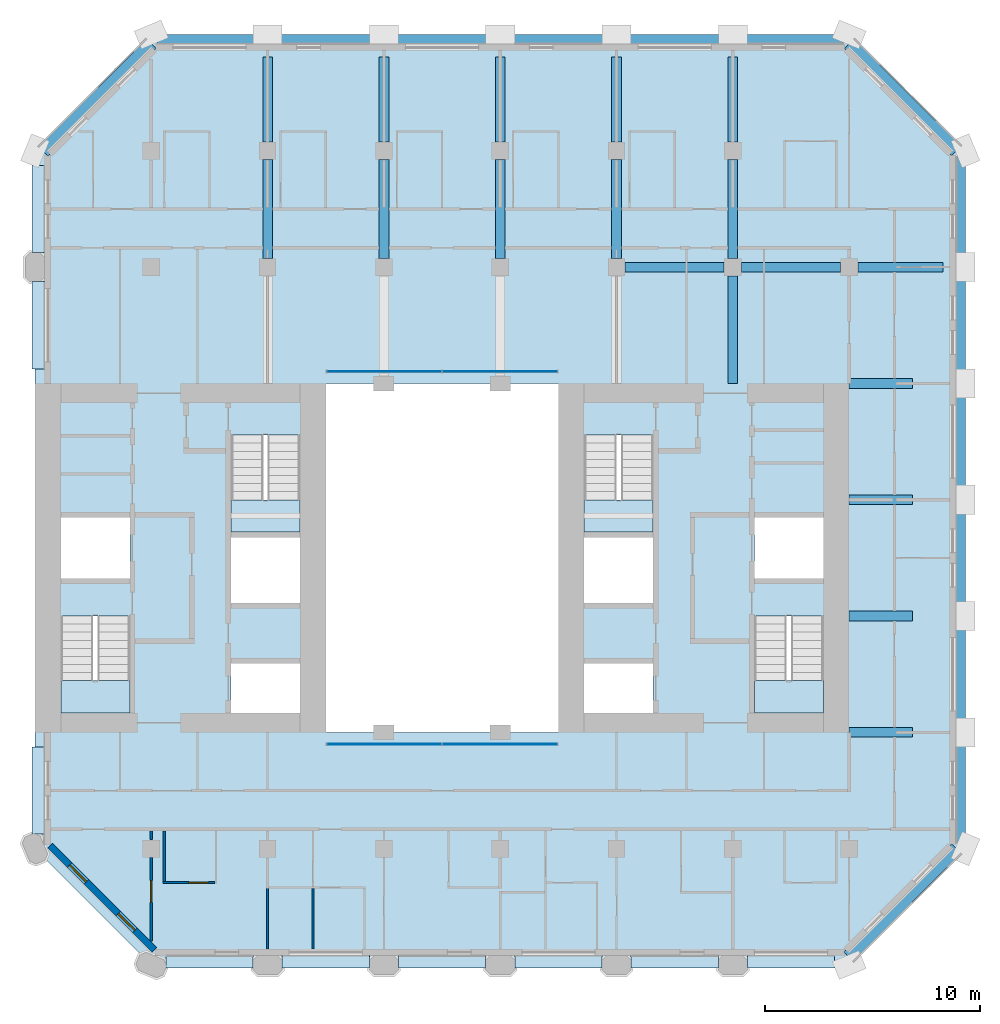
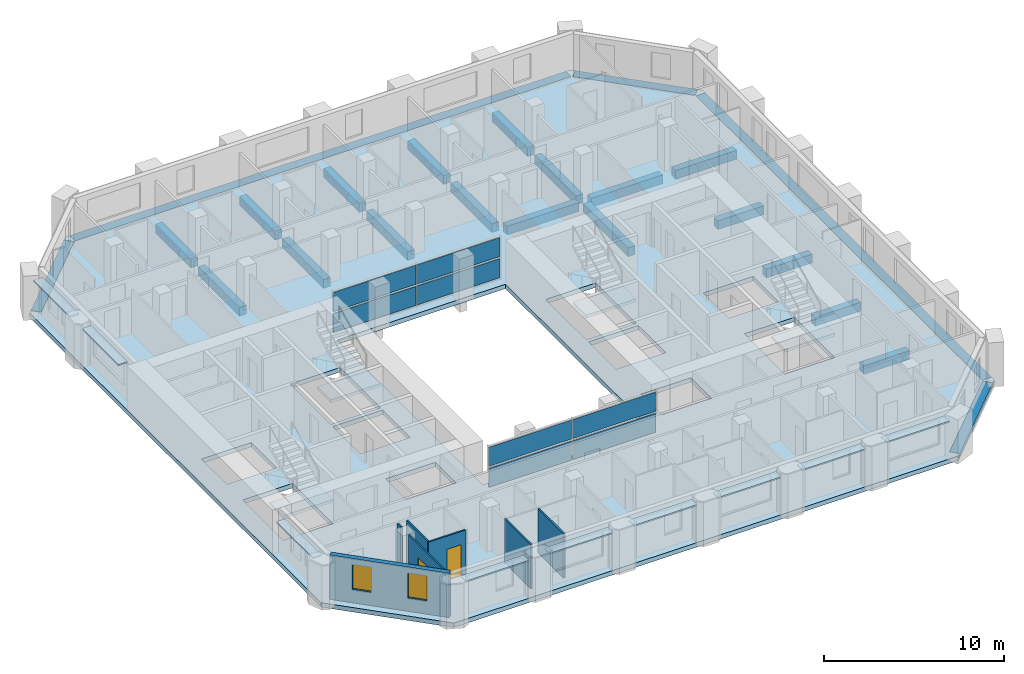
# One storey, part 3 of 12: 23 beams, 17 plates, 7 walls, 5 slabs, 2 doors, 2 windows, 4 openings, 6 elements without a shape of their own.
"""IFC4 building model written with IfcOpenShell, lengths in metres."""

from ifc_helpers import new_model, si_unit, direction, frame, frame_2d, origin, origin_2d, place, context, subcontext, project, spatial, polyline, rectangle, outline, extrude, material, layer, layer_set, material_profile, profile_set, type_object, element, fill, aggregate, save


model = new_model("IFC4")

# Units and contexts
model_context = context("Model", 3, precision=1e-05, world=origin(), true_north=direction((0.0, 1.0)))
body_context = subcontext(model_context, "Body", "Model", "MODEL_VIEW")
ifc_project = project(units=[si_unit("LENGTHUNIT", "METRE"), si_unit("AREAUNIT", "SQUARE_METRE"), si_unit("VOLUMEUNIT", "CUBIC_METRE"), si_unit("PLANEANGLEUNIT", "RADIAN"), si_unit("MASSUNIT", "GRAM", prefix="KILO")], contexts=[model_context])

# Site, building, storey
site_placement = place(None, origin())
site = spatial("IfcSite", under=ifc_project, at=site_placement, CompositionType="ELEMENT")
building_placement = place(site_placement, origin())
building = spatial("IfcBuilding", under=site, at=building_placement, Name="Tabaq Tower and Sports Hall", CompositionType="ELEMENT")
storey_placement = place(building_placement, frame((0.0, 0.0, 184.0)))
storey = spatial("IfcBuildingStorey", under=building, at=storey_placement, Name="L44", CompositionType="ELEMENT", Elevation=184.0)

# Beams
ifc_material_1 = material(Name="Concrete C40/50", Category="concrete")
ifc_material_profile_1 = material_profile(ifc_material_1, rectangle(XDim=0.449951171875, YDim=0.60009765625, at=origin_2d()), Name="CB 450x600")
ifc_profile_set_1 = profile_set([ifc_material_profile_1], Name="Concrete C40/50")
beam_type_1 = type_object("IfcBeamType", Name="PT CANTILEVER BEAM CB 450x600 C40/50", PredefinedType="BEAM", material=ifc_profile_set_1)
for number, where, z_axis, x_axis, name in (
    (1, (46.14990234375, 16.199951171875, -0.60009765625), (-1.0, 0.0, 0.0), (0.0, -1.0, 0.0), "Cantilever Beam L44 E3 span 1"),
    (2, (46.14990234375, 21.60009765625, -0.60009765625), (-1.0, 0.0, 0.0), (0.0, -1.0, 0.0), "Cantilever Beam L44 E4 span 1"),
    (3, (46.14990234375, 27.0, -0.60009765625), (-1.0, 0.0, 0.0), (0.0, -1.0, 0.0), "Cantilever Beam L44 E5 span 1"),
    (4, (46.14990234375, 32.39990234375, -0.60009765625), (-1.0, 0.0, 0.0), (0.0, -1.0, 0.0), "Cantilever Beam L44 E6 span 1"),
):
    element("IfcBeam", number, at=place(storey_placement, frame(where, z_axis=z_axis, x_axis=x_axis)), inside=storey, type_object=beam_type_1, Name=name, PredefinedType="BEAM", context=body_context, shape_type="SweptSolid", body=[
        extrude(rectangle(XDim=0.449951171875, YDim=0.60009765625, at=origin_2d()), origin(), (0.0, 0.0, 1.0), 2.949951171875),
    ])
beam_1_placement = place(storey_placement, frame((47.550048828125, 37.800048828125, -0.60009765625), z_axis=(-1.0, 0.0, 0.0), x_axis=(0.0, -1.0, 0.0)))
element("IfcBeam", 5, at=beam_1_placement, inside=storey, type_object=beam_type_1, Name="Cantilever Beam L44 E7 span 1", PredefinedType="BEAM", context=body_context, shape_type="SweptSolid", body=[
    extrude(rectangle(XDim=0.449951171875, YDim=0.60009765625, at=origin_2d()), origin(), (0.0, 0.0, 1.0), 3.949951171875),
])
beam_2_placement = place(storey_placement, frame((42.800048828125, 37.800048828125, -0.60009765625), z_axis=(-1.0, 0.0, 0.0), x_axis=(0.0, -1.0, 0.0)))
element("IfcBeam", 6, at=beam_2_placement, inside=storey, type_object=beam_type_1, Name="Cantilever Beam L44 E7 span 2", PredefinedType="BEAM", context=body_context, shape_type="SweptSolid", body=[
    extrude(rectangle(XDim=0.449951171875, YDim=0.60009765625, at=origin_2d()), origin(), (0.0, 0.0, 1.0), 4.60009765625),
])
beam_3_placement = place(storey_placement, frame((37.39990234375, 37.800048828125, -0.60009765625), z_axis=(-1.0, 0.0, 0.0), x_axis=(0.0, -1.0, 0.0)))
element("IfcBeam", 7, at=beam_3_placement, inside=storey, type_object=beam_type_1, Name="Cantilever Beam L44 E7 span 3", PredefinedType="BEAM", context=body_context, shape_type="SweptSolid", body=[
    extrude(rectangle(XDim=0.449951171875, YDim=0.60009765625, at=origin_2d()), origin(), (0.0, 0.0, 1.0), 4.599853515625),
])
beam_4_placement = place(storey_placement, frame((16.199951171875, 47.550048828125, -0.60009765625), z_axis=(0.0, -1.0, 0.0), x_axis=(1.0, 0.0, 0.0)))
element("IfcBeam", 8, at=beam_4_placement, inside=storey, type_object=beam_type_1, Name="Cantilever Beam L44 N3 span 1", PredefinedType="BEAM", context=body_context, shape_type="SweptSolid", body=[
    extrude(rectangle(XDim=0.449951171875, YDim=0.60009765625, at=origin_2d()), origin(), (0.0, 0.0, 1.0), 3.949951171875),
])
beam_5_placement = place(storey_placement, frame((16.199951171875, 42.800048828125, -0.60009765625), z_axis=(0.0, -1.0, 0.0), x_axis=(1.0, 0.0, 0.0)))
element("IfcBeam", 9, at=beam_5_placement, inside=storey, type_object=beam_type_1, Name="Cantilever Beam L44 N3 span 2", PredefinedType="BEAM", context=body_context, shape_type="SweptSolid", body=[
    extrude(rectangle(XDim=0.449951171875, YDim=0.60009765625, at=origin_2d()), origin(), (0.0, 0.0, 1.0), 4.60009765625),
])
beam_6_placement = place(storey_placement, frame((21.60009765625, 47.550048828125, -0.60009765625), z_axis=(0.0, -1.0, 0.0), x_axis=(1.0, 0.0, 0.0)))
element("IfcBeam", 10, at=beam_6_placement, inside=storey, type_object=beam_type_1, Name="Cantilever Beam L44 N4 span 1", PredefinedType="BEAM", context=body_context, shape_type="SweptSolid", body=[
    extrude(rectangle(XDim=0.449951171875, YDim=0.60009765625, at=origin_2d()), origin(), (0.0, 0.0, 1.0), 3.949951171875),
])
beam_7_placement = place(storey_placement, frame((21.60009765625, 42.800048828125, -0.60009765625), z_axis=(0.0, -1.0, 0.0), x_axis=(1.0, 0.0, 0.0)))
element("IfcBeam", 11, at=beam_7_placement, inside=storey, type_object=beam_type_1, Name="Cantilever Beam L44 N4 span 2", PredefinedType="BEAM", context=body_context, shape_type="SweptSolid", body=[
    extrude(rectangle(XDim=0.449951171875, YDim=0.60009765625, at=origin_2d()), origin(), (0.0, 0.0, 1.0), 4.60009765625),
])
beam_8_placement = place(storey_placement, frame((27.0, 47.550048828125, -0.60009765625), z_axis=(0.0, -1.0, 0.0), x_axis=(1.0, 0.0, 0.0)))
element("IfcBeam", 12, at=beam_8_placement, inside=storey, type_object=beam_type_1, Name="Cantilever Beam L44 N5 span 1", PredefinedType="BEAM", context=body_context, shape_type="SweptSolid", body=[
    extrude(rectangle(XDim=0.449951171875, YDim=0.60009765625, at=origin_2d()), origin(), (0.0, 0.0, 1.0), 3.949951171875),
])
beam_9_placement = place(storey_placement, frame((27.0, 42.800048828125, -0.60009765625), z_axis=(0.0, -1.0, 0.0), x_axis=(1.0, 0.0, 0.0)))
element("IfcBeam", 13, at=beam_9_placement, inside=storey, type_object=beam_type_1, Name="Cantilever Beam L44 N5 span 2", PredefinedType="BEAM", context=body_context, shape_type="SweptSolid", body=[
    extrude(rectangle(XDim=0.449951171875, YDim=0.60009765625, at=origin_2d()), origin(), (0.0, 0.0, 1.0), 4.60009765625),
])
beam_10_placement = place(storey_placement, frame((32.39990234375, 47.550048828125, -0.60009765625), z_axis=(0.0, -1.0, 0.0), x_axis=(1.0, 0.0, 0.0)))
element("IfcBeam", 14, at=beam_10_placement, inside=storey, type_object=beam_type_1, Name="Cantilever Beam L44 N6 span 1", PredefinedType="BEAM", context=body_context, shape_type="SweptSolid", body=[
    extrude(rectangle(XDim=0.449951171875, YDim=0.60009765625, at=origin_2d()), origin(), (0.0, 0.0, 1.0), 3.949951171875),
])
beam_11_placement = place(storey_placement, frame((32.39990234375, 42.800048828125, -0.60009765625), z_axis=(0.0, -1.0, 0.0), x_axis=(1.0, 0.0, 0.0)))
element("IfcBeam", 15, at=beam_11_placement, inside=storey, type_object=beam_type_1, Name="Cantilever Beam L44 N6 span 2", PredefinedType="BEAM", context=body_context, shape_type="SweptSolid", body=[
    extrude(rectangle(XDim=0.449951171875, YDim=0.60009765625, at=origin_2d()), origin(), (0.0, 0.0, 1.0), 4.60009765625),
])
beam_12_placement = place(storey_placement, frame((37.800048828125, 47.550048828125, -0.60009765625), z_axis=(0.0, -1.0, 0.0), x_axis=(1.0, 0.0, 0.0)))
element("IfcBeam", 16, at=beam_12_placement, inside=storey, type_object=beam_type_1, Name="Cantilever Beam L44 N7 span 1", PredefinedType="BEAM", context=body_context, shape_type="SweptSolid", body=[
    extrude(rectangle(XDim=0.449951171875, YDim=0.60009765625, at=origin_2d()), origin(), (0.0, 0.0, 1.0), 3.949951171875),
])
beam_13_placement = place(storey_placement, frame((37.800048828125, 42.800048828125, -0.60009765625), z_axis=(0.0, -1.0, 0.0), x_axis=(1.0, 0.0, 0.0)))
element("IfcBeam", 17, at=beam_13_placement, inside=storey, type_object=beam_type_1, Name="Cantilever Beam L44 N7 span 2", PredefinedType="BEAM", context=body_context, shape_type="SweptSolid", body=[
    extrude(rectangle(XDim=0.449951171875, YDim=0.60009765625, at=origin_2d()), origin(), (0.0, 0.0, 1.0), 4.60009765625),
])
beam_14_placement = place(storey_placement, frame((37.800048828125, 37.39990234375, -0.60009765625), z_axis=(0.0, -1.0, 0.0), x_axis=(1.0, 0.0, 0.0)))
element("IfcBeam", 18, at=beam_14_placement, inside=storey, type_object=beam_type_1, Name="Cantilever Beam L44 N7 span 3", PredefinedType="BEAM", context=body_context, shape_type="SweptSolid", body=[
    extrude(rectangle(XDim=0.449951171875, YDim=0.60009765625, at=origin_2d()), origin(), (0.0, 0.0, 1.0), 5.0),
])
ifc_material_2 = material(Name="Concrete C40/50", Category="concrete")
ifc_material_profile_2 = material_profile(ifc_material_2, rectangle(XDim=0.60009765625, YDim=0.300048828125, at=origin_2d()), Name="EB 600x300")
ifc_profile_set_2 = profile_set([ifc_material_profile_2], Name="Concrete C40/50")
beam_type_2 = type_object("IfcBeamType", Name="PT EDGE BEAM EB 600x300 C40/50", PredefinedType="SPANDREL", material=ifc_profile_set_2)
beam_15_placement = place(storey_placement, frame((43.16455078125, 5.788818359375, -0.14990234375), z_axis=(0.707106781187, 0.707106781187, 0.0), x_axis=(-0.707106781187, 0.707106781187, 0.0)))
element("IfcBeam", 19, at=beam_15_placement, inside=storey, type_object=beam_type_2, Name="Edge Beam L44 1", PredefinedType="SPANDREL", context=body_context, shape_type="SweptSolid", body=[
    extrude(rectangle(XDim=0.60009765625, YDim=0.300048828125, at=origin_2d()), origin(), (0.0, 0.0, 1.0), 7.08837890625),
])
beam_16_placement = place(storey_placement, frame((48.300048828125, 11.0986328125, -0.14990234375), z_axis=(0.0, 1.0, 0.0), x_axis=(-1.0, 0.0, 0.0)))
element("IfcBeam", 20, at=beam_16_placement, inside=storey, type_object=beam_type_2, Name="Edge Beam L44 2", PredefinedType="SPANDREL", context=body_context, shape_type="SweptSolid", body=[
    extrude(rectangle(XDim=0.60009765625, YDim=0.300048828125, at=origin_2d()), origin(), (0.0, 0.0, 1.0), 31.802734375),
])
beam_17_placement = place(storey_placement, frame((48.1767578125, 43.198974609375, -0.14990234375), z_axis=(-0.707106781187, 0.707106781187, 0.0), x_axis=(-0.707106781187, -0.707106781187, 0.0)))
element("IfcBeam", 21, at=beam_17_placement, inside=storey, type_object=beam_type_2, Name="Edge Beam L44 3", PredefinedType="SPANDREL", context=body_context, shape_type="SweptSolid", body=[
    extrude(rectangle(XDim=0.60009765625, YDim=0.300048828125, at=origin_2d()), origin(), (0.0, 0.0, 1.0), 7.03955078125),
])
beam_18_placement = place(storey_placement, frame((42.9013671875, 48.300048828125, -0.14990234375), z_axis=(-1.0, 0.0, 0.0), x_axis=(0.0, -1.0, 0.0)))
element("IfcBeam", 22, at=beam_18_placement, inside=storey, type_object=beam_type_2, Name="Edge Beam L44 4", PredefinedType="SPANDREL", context=body_context, shape_type="SweptSolid", body=[
    extrude(rectangle(XDim=0.60009765625, YDim=0.300048828125, at=origin_2d()), origin(), (0.0, 0.0, 1.0), 31.802734375),
])
beam_19_placement = place(storey_placement, frame((10.801025390625, 48.1767578125, -0.14990234375), z_axis=(-0.707106781187, -0.707106781187, 0.0), x_axis=(0.707106781187, -0.707106781187, 0.0)))
element("IfcBeam", 23, at=beam_19_placement, inside=storey, type_object=beam_type_2, Name="Edge Beam L44 5", PredefinedType="SPANDREL", context=body_context, shape_type="SweptSolid", body=[
    extrude(rectangle(XDim=0.60009765625, YDim=0.300048828125, at=origin_2d()), origin(), (0.0, 0.0, 1.0), 7.08837890625),
])

# Curtain wall, plates
ifc_material_3 = material(Name="Aluminium alloy 6063-T6 framed glazing", Category="aluminium")
curtain_wall_type = type_object("IfcCurtainWallType", Name="CW1 curtain wall", PredefinedType="USERDEFINED", material=ifc_material_3)
curtain_wall_1_placement = place(storey_placement, origin())
curtain_wall_1 = element("IfcCurtainWall", 24, at=curtain_wall_1_placement, inside=storey, type_object=curtain_wall_type, Name="Atrium glazing L44 S", ObjectType="ATRIUM ENCLOSURE", PredefinedType="USERDEFINED")
ifc_material_4 = material(Name="Clear low-emissivity glass 28 mm", Category="glass")
ifc_layer_1 = layer(ifc_material_4, 0.028076171875)
ifc_layer_set_1 = layer_set([ifc_layer_1], Name="CW1 glass panel 28")
plate_type_1 = type_object("IfcPlateType", Name="CW1 glass panel 28", PredefinedType="CURTAIN_PANEL", material=ifc_layer_set_1)
plate_1_placement = place(storey_placement, frame((21.614990234375, 15.64990234375, 0.139892578125), z_axis=(0.0, 0.0, 1.0), x_axis=(1.0, 0.0, 0.0)))
plate_1 = element("IfcPlate", 25, at=plate_1_placement, type_object=plate_type_1, Name="CW1 panel 1.1", PredefinedType="CURTAIN_PANEL", context=body_context, shape_type="SweptSolid", body=[
    extrude(rectangle(XDim=5.31005859375, YDim=0.028076171875, at=origin_2d()), origin(), (0.0, 0.0, 1.0), 1.2900390625),
])
plate_2_placement = place(storey_placement, frame((21.614990234375, 15.64990234375, 1.570068359375), z_axis=(0.0, 0.0, 1.0), x_axis=(1.0, 0.0, 0.0)))
plate_2 = element("IfcPlate", 26, at=plate_2_placement, type_object=plate_type_1, Name="CW1 panel 1.2", PredefinedType="CURTAIN_PANEL", context=body_context, shape_type="SweptSolid", body=[
    extrude(rectangle(XDim=5.31005859375, YDim=0.028076171875, at=origin_2d()), origin(), (0.0, 0.0, 1.0), 1.2900390625),
])
plate_3_placement = place(storey_placement, frame((26.985107421875, 15.64990234375, 0.139892578125), z_axis=(0.0, 0.0, 1.0), x_axis=(1.0, 0.0, 0.0)))
plate_3 = element("IfcPlate", 27, at=plate_3_placement, type_object=plate_type_1, Name="CW1 panel 2.1", PredefinedType="CURTAIN_PANEL", context=body_context, shape_type="SweptSolid", body=[
    extrude(rectangle(XDim=5.31005859375, YDim=0.028076171875, at=origin_2d()), origin(), (0.0, 0.0, 1.0), 1.2900390625),
])
plate_4_placement = place(storey_placement, frame((26.985107421875, 15.64990234375, 1.570068359375), z_axis=(0.0, 0.0, 1.0), x_axis=(1.0, 0.0, 0.0)))
plate_4 = element("IfcPlate", 28, at=plate_4_placement, type_object=plate_type_1, Name="CW1 panel 2.2", PredefinedType="CURTAIN_PANEL", context=body_context, shape_type="SweptSolid", body=[
    extrude(rectangle(XDim=5.31005859375, YDim=0.028076171875, at=origin_2d()), origin(), (0.0, 0.0, 1.0), 1.2900390625),
])
aggregate(curtain_wall_1, [plate_1, plate_2, plate_3, plate_4])

curtain_wall_2_placement = place(storey_placement, origin())
curtain_wall_2 = element("IfcCurtainWall", 29, at=curtain_wall_2_placement, inside=storey, type_object=curtain_wall_type, Name="Atrium glazing L44 N", ObjectType="ATRIUM ENCLOSURE", PredefinedType="USERDEFINED")
plate_5_placement = place(storey_placement, frame((21.614990234375, 32.949951171875, 0.139892578125), z_axis=(0.0, 0.0, 1.0), x_axis=(1.0, 0.0, 0.0)))
plate_5 = element("IfcPlate", 30, at=plate_5_placement, type_object=plate_type_1, Name="CW1 panel 1.1", PredefinedType="CURTAIN_PANEL", context=body_context, shape_type="SweptSolid", body=[
    extrude(rectangle(XDim=5.31005859375, YDim=0.028076171875, at=origin_2d()), origin(), (0.0, 0.0, 1.0), 1.2900390625),
])
plate_6_placement = place(storey_placement, frame((21.614990234375, 32.949951171875, 1.570068359375), z_axis=(0.0, 0.0, 1.0), x_axis=(1.0, 0.0, 0.0)))
plate_6 = element("IfcPlate", 31, at=plate_6_placement, type_object=plate_type_1, Name="CW1 panel 1.2", PredefinedType="CURTAIN_PANEL", context=body_context, shape_type="SweptSolid", body=[
    extrude(rectangle(XDim=5.31005859375, YDim=0.028076171875, at=origin_2d()), origin(), (0.0, 0.0, 1.0), 1.2900390625),
])
plate_7_placement = place(storey_placement, frame((26.985107421875, 32.949951171875, 0.139892578125), z_axis=(0.0, 0.0, 1.0), x_axis=(1.0, 0.0, 0.0)))
plate_7 = element("IfcPlate", 32, at=plate_7_placement, type_object=plate_type_1, Name="CW1 panel 2.1", PredefinedType="CURTAIN_PANEL", context=body_context, shape_type="SweptSolid", body=[
    extrude(rectangle(XDim=5.31005859375, YDim=0.028076171875, at=origin_2d()), origin(), (0.0, 0.0, 1.0), 1.2900390625),
])
plate_8_placement = place(storey_placement, frame((26.985107421875, 32.949951171875, 1.570068359375), z_axis=(0.0, 0.0, 1.0), x_axis=(1.0, 0.0, 0.0)))
plate_8 = element("IfcPlate", 33, at=plate_8_placement, type_object=plate_type_1, Name="CW1 panel 2.2", PredefinedType="CURTAIN_PANEL", context=body_context, shape_type="SweptSolid", body=[
    extrude(rectangle(XDim=5.31005859375, YDim=0.028076171875, at=origin_2d()), origin(), (0.0, 0.0, 1.0), 1.2900390625),
])
aggregate(curtain_wall_2, [plate_5, plate_6, plate_7, plate_8])

# Stair, slab
ifc_material_5 = material(Name="Concrete C40/50", Category="concrete")
stair_type = type_object("IfcStairType", Name="Exit stair", PredefinedType="HALF_TURN_STAIR", material=ifc_material_5)
stair_1_placement = place(storey_placement, origin())
stair_1 = element("IfcStair", 34, at=stair_1_placement, inside=storey, type_object=stair_type, Name="L44 Exit stair ST1", PredefinedType="HALF_TURN_STAIR")
ifc_material_6 = material(Name="Concrete C40/50", Category="concrete")
ifc_layer_2 = layer(ifc_material_6, 0.199951171875)
ifc_layer_set_2 = layer_set([ifc_layer_2], Name="Exit stair landing")
slab_type_1 = type_object("IfcSlabType", Name="Exit stair landing", PredefinedType="LANDING", material=ifc_layer_set_2)
slab_1_placement = place(storey_placement, frame((0.0, 0.0, 1.449951171875)))
slab_1 = element("IfcSlab", 35, at=slab_1_placement, type_object=slab_type_1, Name="ST1 landing 1", PredefinedType="LANDING", context=body_context, shape_type="SweptSolid", body=[
    extrude(outline(polyline([(6.60009765625, 18.60009765625), (6.60009765625, 17.10009765625), (9.800048828125, 17.10009765625), (9.800048828125, 18.60009765625), (6.60009765625, 18.60009765625)])), origin(), (0.0, 0.0, 1.0), 0.199951171875),
])
aggregate(stair_1, [slab_1])

stair_2_placement = place(storey_placement, origin())
stair_2 = element("IfcStair", 36, at=stair_2_placement, inside=storey, type_object=stair_type, Name="L44 Exit stair ST2", PredefinedType="HALF_TURN_STAIR")
slab_2_placement = place(storey_placement, frame((0.0, 0.0, 1.449951171875)))
slab_2 = element("IfcSlab", 37, at=slab_2_placement, type_object=slab_type_1, Name="ST2 landing 1", PredefinedType="LANDING", context=body_context, shape_type="SweptSolid", body=[
    extrude(outline(polyline([(14.5, 27.0), (14.5, 25.5), (17.699951171875, 25.5), (17.699951171875, 27.0), (14.5, 27.0)])), origin(), (0.0, 0.0, 1.0), 0.199951171875),
])
aggregate(stair_2, [slab_2])

stair_3_placement = place(storey_placement, origin())
stair_3 = element("IfcStair", 38, at=stair_3_placement, inside=storey, type_object=stair_type, Name="L44 Exit stair ST3", PredefinedType="HALF_TURN_STAIR")
slab_3_placement = place(storey_placement, frame((0.0, 0.0, 1.449951171875)))
slab_3 = element("IfcSlab", 39, at=slab_3_placement, type_object=slab_type_1, Name="ST3 landing 1", PredefinedType="LANDING", context=body_context, shape_type="SweptSolid", body=[
    extrude(outline(polyline([(38.800048828125, 18.60009765625), (38.800048828125, 17.10009765625), (42.0, 17.10009765625), (42.0, 18.60009765625), (38.800048828125, 18.60009765625)])), origin(), (0.0, 0.0, 1.0), 0.199951171875),
])
aggregate(stair_3, [slab_3])

stair_4_placement = place(storey_placement, origin())
stair_4 = element("IfcStair", 40, at=stair_4_placement, inside=storey, type_object=stair_type, Name="L44 Exit stair ST4", PredefinedType="HALF_TURN_STAIR")
slab_4_placement = place(storey_placement, frame((0.0, 0.0, 1.449951171875)))
slab_4 = element("IfcSlab", 41, at=slab_4_placement, type_object=slab_type_1, Name="ST4 landing 1", PredefinedType="LANDING", context=body_context, shape_type="SweptSolid", body=[
    extrude(outline(polyline([(30.89990234375, 27.0), (30.89990234375, 25.5), (34.10009765625, 25.5), (34.10009765625, 27.0), (30.89990234375, 27.0)])), origin(), (0.0, 0.0, 1.0), 0.199951171875),
])
aggregate(stair_4, [slab_4])

# Slab
ifc_material_7 = material(Name="Concrete C40/50", Category="concrete")
ifc_layer_3 = layer(ifc_material_7, 0.300048828125)
ifc_layer_set_3 = layer_set([ifc_layer_3], Name="PT FLOOR SLAB 300 C40/50")
slab_type_2 = type_object("IfcSlabType", Name="PT FLOOR SLAB 300 C40/50", PredefinedType="FLOOR", material=ifc_layer_set_3)
slab_5_placement = place(storey_placement, frame((0.0, 0.0, -0.300048828125)))
element("IfcSlab", 42, at=slab_5_placement, inside=storey, type_object=slab_type_2, Name="Floor Slab L44", PredefinedType="FLOOR", context=body_context, shape_type="SweptSolid", body=[
    extrude(outline(polyline([(5.39990234375, 43.199951171875), (5.39990234375, 10.800048828125), (10.800048828125, 5.39990234375), (43.199951171875, 5.39990234375), (43.376708984375, 5.57666015625), (42.952392578125, 6.0009765625), (47.964599609375, 11.01318359375), (48.035400390625, 10.9423828125), (48.388916015625, 10.5888671875), (48.60009765625, 10.800048828125), (48.60009765625, 11.0986328125), (48.10009765625, 11.0986328125), (48.0, 11.0986328125), (48.0, 42.9013671875), (48.10009765625, 42.9013671875), (48.60009765625, 42.9013671875), (48.60009765625, 43.199951171875), (48.388916015625, 43.4111328125), (48.035400390625, 43.0576171875), (47.964599609375, 42.98681640625), (42.98681640625, 47.964599609375), (43.0576171875, 48.035400390625), (43.4111328125, 48.388916015625), (43.199951171875, 48.60009765625), (42.9013671875, 48.60009765625), (42.9013671875, 48.10009765625), (42.9013671875, 48.0), (11.0986328125, 48.0), (11.0986328125, 48.10009765625), (11.0986328125, 48.60009765625), (10.800048828125, 48.60009765625), (10.5888671875, 48.388916015625), (10.9423828125, 48.035400390625), (11.01318359375, 47.964599609375), (6.0009765625, 42.952392578125), (5.57666015625, 43.376708984375), (5.39990234375, 43.199951171875)]), holes=[polyline([(14.5, 19.39990234375), (17.699951171875, 19.39990234375), (17.699951171875, 17.10009765625), (14.5, 17.10009765625), (14.5, 19.39990234375)]), polyline([(6.60009765625, 21.599365234375), (9.800048828125, 21.599365234375), (9.800048828125, 17.10009765625), (6.60009765625, 17.10009765625), (6.60009765625, 21.599365234375)]), polyline([(14.5, 25.25), (17.699951171875, 25.25), (17.699951171875, 22.199951171875), (14.5, 22.199951171875), (14.5, 25.25)]), polyline([(18.89990234375, 32.39990234375), (29.699951171875, 32.39990234375), (29.699951171875, 16.199951171875), (18.89990234375, 16.199951171875), (18.89990234375, 32.39990234375)]), polyline([(9.800048828125, 26.175048828125), (9.800048828125, 23.35009765625), (6.60009765625, 23.35009765625), (6.60009765625, 26.175048828125), (9.800048828125, 26.175048828125)]), polyline([(14.5, 29.99951171875), (17.699951171875, 29.99951171875), (17.699951171875, 25.5), (14.5, 25.5), (14.5, 29.99951171875)]), polyline([(34.10009765625, 19.39990234375), (34.10009765625, 17.10009765625), (30.89990234375, 17.10009765625), (30.89990234375, 19.39990234375), (34.10009765625, 19.39990234375)]), polyline([(42.0, 21.599365234375), (42.0, 17.10009765625), (38.800048828125, 17.10009765625), (38.800048828125, 21.599365234375), (42.0, 21.599365234375)]), polyline([(30.89990234375, 25.25), (34.10009765625, 25.25), (34.10009765625, 22.199951171875), (30.89990234375, 22.199951171875), (30.89990234375, 25.25)]), polyline([(42.0, 26.175048828125), (42.0, 23.35009765625), (38.800048828125, 23.35009765625), (38.800048828125, 26.175048828125), (42.0, 26.175048828125)]), polyline([(34.10009765625, 29.99951171875), (34.10009765625, 25.5), (30.89990234375, 25.5), (30.89990234375, 29.99951171875), (34.10009765625, 29.99951171875)])]), origin(), (0.0, 0.0, 1.0), 0.300048828125),
])

# Plates
ifc_material_8 = material(Name="White precast concrete C60/75 blade", Category="concrete")
ifc_layer_4 = layer(ifc_material_8, 0.10009765625)
ifc_layer_set_4 = layer_set([ifc_layer_4], Name="White precast concrete C60/75 sunshade 100")
plate_type_2 = type_object("IfcPlateType", Name="White precast concrete C60/75 sunshade 100", PredefinedType="USERDEFINED", material=ifc_layer_set_4)
for number, where, z_axis, x_axis, name in (
    (43, (13.5, 5.550048828125, 2.599853515625), (0.0, 0.0, 1.0), (1.0, 0.0, 0.0), "Sunshade L44 S"),
    (44, (18.89990234375, 5.550048828125, 2.599853515625), (0.0, 0.0, 1.0), (1.0, 0.0, 0.0), "Sunshade L44 S"),
    (45, (24.300048828125, 5.550048828125, 2.599853515625), (0.0, 0.0, 1.0), (1.0, 0.0, 0.0), "Sunshade L44 S"),
    (46, (29.699951171875, 5.550048828125, 2.599853515625), (0.0, 0.0, 1.0), (1.0, 0.0, 0.0), "Sunshade L44 S"),
    (47, (35.10009765625, 5.550048828125, 2.599853515625), (0.0, 0.0, 1.0), (1.0, 0.0, 0.0), "Sunshade L44 S"),
    (48, (40.5, 5.550048828125, 2.599853515625), (0.0, 0.0, 1.0), (1.0, 0.0, 0.0), "Sunshade L44 S"),
    (49, (5.550048828125, 40.5, 2.599853515625), (0.0, 0.0, 1.0), (0.0, -1.0, 0.0), "Sunshade L44 W"),
    (50, (5.550048828125, 35.10009765625, 2.599853515625), (0.0, 0.0, 1.0), (0.0, -1.0, 0.0), "Sunshade L44 W"),
    (51, (5.550048828125, 13.5, 2.599853515625), (0.0, 0.0, 1.0), (0.0, -1.0, 0.0), "Sunshade L44 W"),
):
    element("IfcPlate", number, at=place(storey_placement, frame(where, z_axis=z_axis, x_axis=x_axis)), inside=storey, type_object=plate_type_2, Name=name, ObjectType="SUNSHADE", PredefinedType="USERDEFINED", context=body_context, shape_type="SweptSolid", body=[
        extrude(rectangle(XDim=4.050048828125, YDim=0.60009765625, at=origin_2d()), origin(), (0.0, 0.0, 1.0), 0.10009765625),
    ])

# Wall
ifc_material_9 = material(Name="Gypsum board on steel studs", Category="steel")
ifc_layer_5 = layer(ifc_material_9, 0.10009765625)
ifc_layer_set_5 = layer_set([ifc_layer_5], Name="Partition 100 Gypsum board")
wall_type_1 = type_object("IfcWallType", Name="Partition 100 Gypsum board", PredefinedType="PARTITIONING", material=ifc_layer_set_5)
wall_1_placement = place(storey_placement, frame((16.199951171875, 6.15087890625, 0.0), z_axis=(0.0, 0.0, 1.0), x_axis=(0.0, 1.0, 0.0)))
element("IfcWall", 52, at=wall_1_placement, inside=storey, type_object=wall_type_1, Name="Partition wall L44", PredefinedType="PARTITIONING", context=body_context, shape_type="SweptSolid", body=[
    extrude(rectangle(XDim=2.899169921875, YDim=0.10009765625, at=frame_2d((1.44970703125, 0.0))), origin(), (0.0, 0.0, 1.0), 3.0),
])

# Wall, opening, door
wall_2_placement = place(storey_placement, frame((13.75, 9.22509765625, 0.0), z_axis=(0.0, 0.0, 1.0), x_axis=(-1.0, 0.0, 0.0)))
wall_2 = element("IfcWall", 53, at=wall_2_placement, inside=storey, type_object=wall_type_1, Name="Partition wall L44", PredefinedType="PARTITIONING", context=body_context, shape_type="SweptSolid", body=[
    extrude(rectangle(XDim=2.39990234375, YDim=0.10009765625, at=frame_2d((1.199951171875, 0.0))), origin(), (0.0, 0.0, 1.0), 3.0),
])
opening_1_placement = place(wall_2_placement, frame((0.300048828125, 0.0, 0.0)))
opening_1 = element("IfcOpeningElement", 54, at=opening_1_placement, cuts=wall_2, Name="Opening L44-016", PredefinedType="OPENING", context=body_context, shape_type="SweptSolid", body=[
    extrude(rectangle(XDim=0.89990234375, YDim=2.10009765625, at=frame_2d((0.449951171875, 1.050048828125))), frame((0.0, 0.050048828125, 0.0), z_axis=(0.0, -1.0, 0.0), x_axis=(1.0, 0.0, 0.0)), (0.0, 0.0, 1.0), 0.10009765625),
])
ifc_material_10 = material(Name="Timber leaf in steel frame", Category="steel")
door_type_1 = type_object("IfcDoorType", Name="Internal door 900 left hand", OperationType="SINGLE_SWING_LEFT", PredefinedType="DOOR", material=ifc_material_10)
door_1_placement = place(opening_1_placement, origin())
door_1 = element("IfcDoor", 55, at=door_1_placement, inside=storey, type_object=door_type_1, Name="Internal door L44-016", OperationType="SINGLE_SWING_LEFT", OverallHeight=2.10009765625, OverallWidth=0.89990234375, PredefinedType="DOOR", context=body_context, shape_type="SweptSolid", body=[
    extrude(rectangle(XDim=0.89990234375, YDim=2.10009765625, at=frame_2d((0.449951171875, 1.050048828125))), frame((0.0, 0.02490234375, 0.0), z_axis=(0.0, -1.0, 0.0), x_axis=(1.0, 0.0, 0.0)), (0.0, 0.0, 1.0), 0.050048828125),
])
fill(opening_1, door_1)

# Walls
wall_3_placement = place(storey_placement, frame((11.39990234375, 9.27490234375, 0.0), z_axis=(0.0, 0.0, 1.0), x_axis=(0.0, 1.0, 0.0)))
element("IfcWall", 56, at=wall_3_placement, inside=storey, type_object=wall_type_1, Name="Partition wall L44", PredefinedType="PARTITIONING", context=body_context, shape_type="SweptSolid", body=[
    extrude(rectangle(XDim=2.35009765625, YDim=0.10009765625, at=frame_2d((1.175048828125, 0.0))), origin(), (0.0, 0.0, 1.0), 3.0),
])
wall_4_placement = place(storey_placement, frame((10.800048828125, 11.625, 0.0), z_axis=(0.0, 0.0, 1.0), x_axis=(0.0, -1.0, 0.0)))
element("IfcWall", 57, at=wall_4_placement, inside=storey, type_object=wall_type_1, Name="Partition wall L44", PredefinedType="PARTITIONING", context=body_context, shape_type="SweptSolid", body=[
    extrude(rectangle(XDim=0.405029296875, YDim=0.10009765625, at=frame_2d((0.20263671875, 0.0))), origin(), (0.0, 0.0, 1.0), 3.0),
])

# Wall, opening, door
wall_5_placement = place(storey_placement, frame((10.800048828125, 10.3798828125, 0.0), z_axis=(0.0, 0.0, 1.0), x_axis=(0.0, -1.0, 0.0)))
wall_5 = element("IfcWall", 58, at=wall_5_placement, inside=storey, type_object=wall_type_1, Name="Partition wall L44", PredefinedType="PARTITIONING", context=body_context, shape_type="SweptSolid", body=[
    extrude(rectangle(XDim=3.86767578125, YDim=0.10009765625, at=frame_2d((1.933837890625, 0.0))), origin(), (0.0, 0.0, 1.0), 3.0),
])
opening_2_placement = place(wall_5_placement, frame((1.0673828125, 0.0, 0.0)))
opening_2 = element("IfcOpeningElement", 59, at=opening_2_placement, cuts=wall_5, Name="Opening L44-041", PredefinedType="OPENING", context=body_context, shape_type="SweptSolid", body=[
    extrude(rectangle(XDim=1.0, YDim=2.10009765625, at=frame_2d((0.5, 1.050048828125))), frame((0.0, 0.050048828125, 0.0), z_axis=(0.0, -1.0, 0.0), x_axis=(1.0, 0.0, 0.0)), (0.0, 0.0, 1.0), 0.10009765625),
])
ifc_material_11 = material(Name="Timber leaf in steel frame", Category="steel")
door_type_2 = type_object("IfcDoorType", Name="Internal door 1000 left hand", OperationType="SINGLE_SWING_LEFT", PredefinedType="DOOR", material=ifc_material_11)
door_2_placement = place(opening_2_placement, origin())
door_2 = element("IfcDoor", 60, at=door_2_placement, inside=storey, type_object=door_type_2, Name="Internal door L44-041", OperationType="SINGLE_SWING_LEFT", OverallHeight=2.10009765625, OverallWidth=1.0, PredefinedType="DOOR", context=body_context, shape_type="SweptSolid", body=[
    extrude(rectangle(XDim=1.0, YDim=2.10009765625, at=frame_2d((0.5, 1.050048828125))), frame((0.0, 0.02490234375, 0.0), z_axis=(0.0, -1.0, 0.0), x_axis=(1.0, 0.0, 0.0)), (0.0, 0.0, 1.0), 0.050048828125),
])
fill(opening_2, door_2)

# Wall
wall_6_placement = place(storey_placement, frame((18.300048828125, 8.949951171875, 0.0), z_axis=(0.0, 0.0, 1.0), x_axis=(0.0, -1.0, 0.0)))
element("IfcWall", 61, at=wall_6_placement, inside=storey, type_object=wall_type_1, Name="Partition wall L44", PredefinedType="PARTITIONING", context=body_context, shape_type="SweptSolid", body=[
    extrude(rectangle(XDim=2.799072265625, YDim=0.10009765625, at=frame_2d((1.3994140625, 0.0))), origin(), (0.0, 0.0, 1.0), 3.0),
])

# Wall, openings, windows
ifc_material_12 = material(Name="White precast concrete C60/75", Category="concrete")
ifc_layer_6 = layer(ifc_material_12, 0.300048828125)
ifc_layer_set_6 = layer_set([ifc_layer_6], Name="White precast concrete C60/75 external wall 300")
wall_type_2 = type_object("IfcWallType", Name="White precast concrete C60/75 external wall 300", PredefinedType="SOLIDWALL", material=ifc_layer_set_6)
wall_7_placement = place(storey_placement, frame((6.098876953125, 10.949462890625, 0.0), z_axis=(0.0, 0.0, 1.0), x_axis=(0.707106781187, -0.707106781187, 0.0)))
wall_7 = element("IfcWall", 62, at=wall_7_placement, inside=storey, type_object=wall_type_2, Name="External Wall L44 SW", PredefinedType="SOLIDWALL", context=body_context, shape_type="SweptSolid", body=[
    extrude(rectangle(XDim=6.85986328125, YDim=0.300048828125, at=frame_2d((3.429931640625, 0.0))), origin(), (0.0, 0.0, 1.0), 3.0),
])
opening_3_placement = place(wall_7_placement, frame((1.27978515625, 0.0, 0.89990234375)))
opening_3 = element("IfcOpeningElement", 63, at=opening_3_placement, cuts=wall_7, Name="Opening W1B", PredefinedType="OPENING", context=body_context, shape_type="SweptSolid", body=[
    extrude(rectangle(XDim=1.10009765625, YDim=1.699951171875, at=frame_2d((0.550048828125, 0.85009765625))), frame((0.0, 0.16015625, 0.0), z_axis=(0.0, -1.0, 0.0), x_axis=(1.0, 0.0, 0.0)), (0.0, 0.0, 1.0), 0.320068359375),
])
opening_4_placement = place(wall_7_placement, frame((4.479736328125, 0.0, 0.89990234375)))
opening_4 = element("IfcOpeningElement", 64, at=opening_4_placement, cuts=wall_7, Name="Opening W1B", PredefinedType="OPENING", context=body_context, shape_type="SweptSolid", body=[
    extrude(rectangle(XDim=1.10009765625, YDim=1.699951171875, at=frame_2d((0.550048828125, 0.85009765625))), frame((0.0, 0.16015625, 0.0), z_axis=(0.0, -1.0, 0.0), x_axis=(1.0, 0.0, 0.0)), (0.0, 0.0, 1.0), 0.320068359375),
])
ifc_material_13 = material(Name="Aluminium framed clear glazing", Category="aluminium")
window_type = type_object("IfcWindowType", Name="Window W1B", PartitioningType="SINGLE_PANEL", PredefinedType="WINDOW", material=ifc_material_13)
window_1_placement = place(opening_3_placement, origin())
window_1 = element("IfcWindow", 65, at=window_1_placement, inside=storey, type_object=window_type, Name="Window W1B L44", OverallHeight=1.699951171875, OverallWidth=1.10009765625, PartitioningType="SINGLE_PANEL", PredefinedType="WINDOW", context=body_context, shape_type="SweptSolid", body=[
    extrude(rectangle(XDim=1.10009765625, YDim=1.699951171875, at=frame_2d((0.550048828125, 0.85009765625))), frame((0.0, 0.030029296875, 0.0), z_axis=(0.0, -1.0, 0.0), x_axis=(1.0, 0.0, 0.0)), (0.0, 0.0, 1.0), 0.06005859375),
])
fill(opening_3, window_1)
window_2_placement = place(opening_4_placement, origin())
window_2 = element("IfcWindow", 66, at=window_2_placement, inside=storey, type_object=window_type, Name="Window W1B L44", OverallHeight=1.699951171875, OverallWidth=1.10009765625, PartitioningType="SINGLE_PANEL", PredefinedType="WINDOW", context=body_context, shape_type="SweptSolid", body=[
    extrude(rectangle(XDim=1.10009765625, YDim=1.699951171875, at=frame_2d((0.550048828125, 0.85009765625))), frame((0.0, 0.030029296875, 0.0), z_axis=(0.0, -1.0, 0.0), x_axis=(1.0, 0.0, 0.0)), (0.0, 0.0, 1.0), 0.06005859375),
])
fill(opening_4, window_2)

save(model, "model.ifc")
